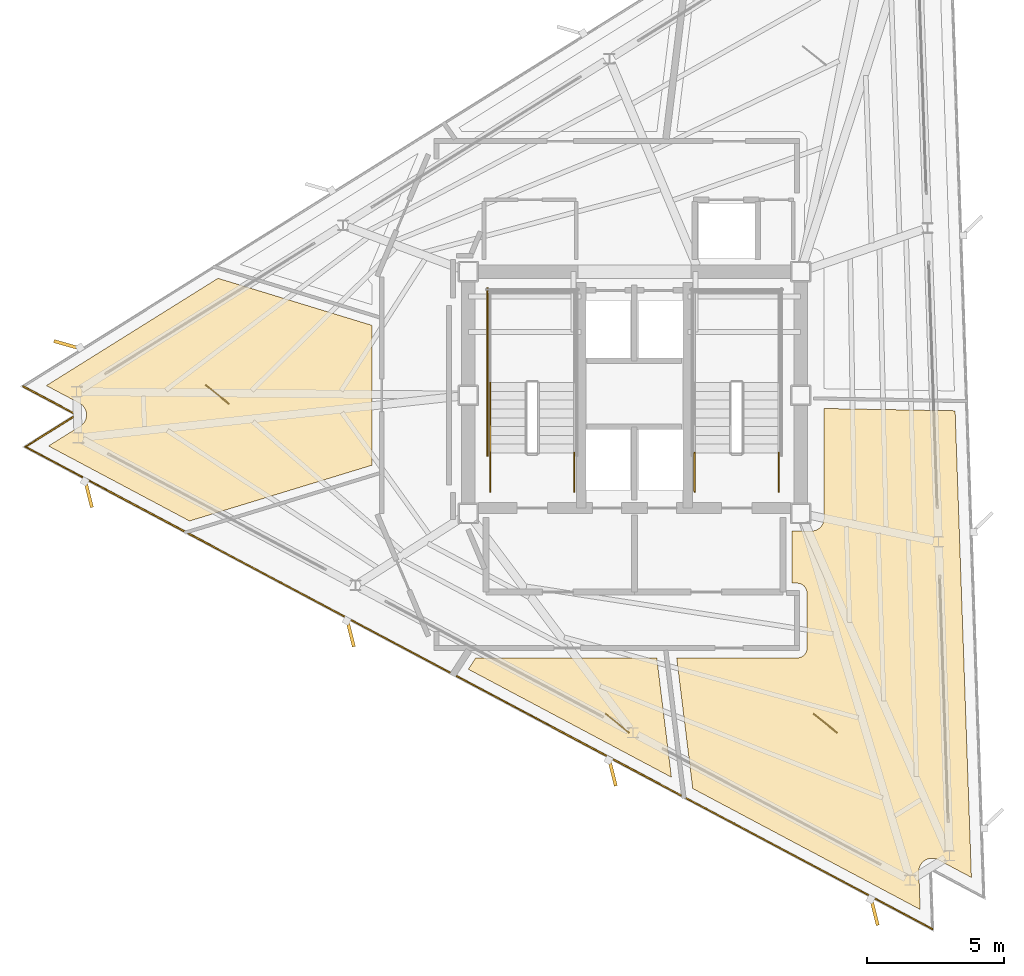
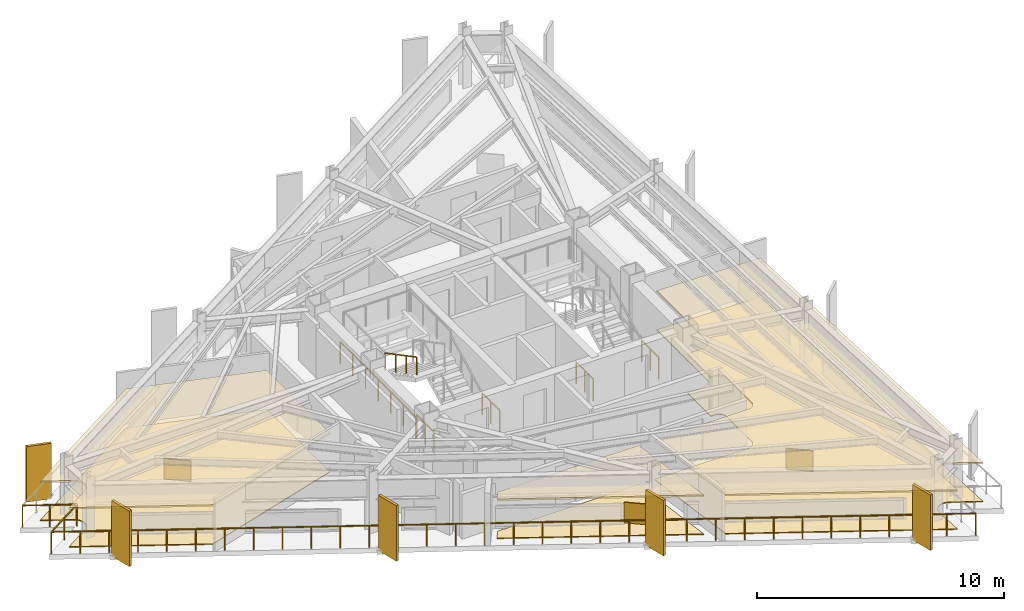
# One storey, part 11 of 13: 9 coverings, 7 railings, 5 shading devices.
"""IFC4 building model written with IfcOpenShell, lengths in metres."""

from ifc_helpers import new_model, si_unit, direction, frame, origin, origin_2d, place, context, subcontext, project, spatial, polyline, rectangle, outline, extrude, material, layer, layer_set, type_object, element, save


model = new_model("IFC4")

# Units and contexts
model_context = context("Model", 3, precision=1e-05, world=origin(), true_north=direction((0.0, 1.0)))
body_context = subcontext(model_context, "Body", "Model", "MODEL_VIEW")
ifc_project = project(units=[si_unit("LENGTHUNIT", "METRE"), si_unit("AREAUNIT", "SQUARE_METRE"), si_unit("VOLUMEUNIT", "CUBIC_METRE"), si_unit("PLANEANGLEUNIT", "RADIAN"), si_unit("MASSUNIT", "GRAM", prefix="KILO")], contexts=[model_context])

# Site, building, storey
site_placement = place(None, origin())
site = spatial("IfcSite", under=ifc_project, at=site_placement, CompositionType="ELEMENT")
building_placement = place(site_placement, origin())
building = spatial("IfcBuilding", under=site, at=building_placement, Name="Rocaltana Carrier Exchange", CompositionType="ELEMENT")
storey_placement = place(building_placement, frame((0.0, 0.0, 211.840087890625)))
storey = spatial("IfcBuildingStorey", under=building, at=storey_placement, Name="L67", CompositionType="ELEMENT", Elevation=211.840087890625)

# Coverings
ifc_material_1 = material(Name="Honed Bogota Sandstone Tile", Category="masonry")
ifc_layer_1 = layer(ifc_material_1, 0.0400390625)
ifc_layer_set_1 = layer_set([ifc_layer_1], Name="Honed Bogota Sandstone Tile")
covering_type_1 = type_object("IfcCoveringType", Name="Honed Stone Lobby Flooring 40", PredefinedType="FLOORING", material=ifc_layer_set_1)
covering_1_placement = place(storey_placement, origin())
element("IfcCovering", 1, at=covering_1_placement, inside=storey, type_object=covering_type_1, Name="L67 Carrier Peering Suite Finish Floor", PredefinedType="FLOORING", context=body_context, shape_type="SweptSolid", body=[
    extrude(outline(polyline([(-20.17138671875, -1.120361328125), (-20.15966796875, -1.11279296875), (-20.143310546875, -1.101318359375), (-20.121337890625, -1.084228515625), (-20.106201171875, -1.0712890625), (-20.085693359375, -1.052001953125), (-20.072021484375, -1.03759765625), (-20.0537109375, -1.0166015625), (-20.04150390625, -1.000732421875), (-20.025390625, -0.97802734375), (-20.014892578125, -0.961181640625), (-20.001220703125, -0.936767578125), (-19.9921875, -0.9189453125), (-19.98095703125, -0.893310546875), (-19.973876953125, -0.874755859375), (-19.965087890625, -0.848388671875), (-19.9599609375, -0.8291015625), (-19.9541015625, -0.8017578125), (-19.95068359375, -0.781982421875), (-19.947509765625, -0.75439453125), (-19.9462890625, -0.734375), (-19.94580078125, -0.70654296875), (-19.946533203125, -0.6865234375), (-19.948974609375, -0.65869140625), (-19.95166015625, -0.638916015625), (-19.956787109375, -0.611572265625), (-19.96142578125, -0.59228515625), (-19.96923828125, -0.5654296875), (-19.9755859375, -0.546630859375), (-19.986083984375, -0.520751953125), (-19.99462890625, -0.502685546875), (-20.007568359375, -0.477783203125), (-20.017578125, -0.460693359375), (-20.033203125, -0.4375), (-20.044921875, -0.42138671875), (-20.0625, -0.399658203125), (-20.07568359375, -0.385009765625), (-20.095458984375, -0.364990234375), (-20.1103515625, -0.351806640625), (-20.1318359375, -0.333984375), (-20.14794921875, -0.322021484375), (-20.171142578125, -0.306640625), (-20.188232421875, -0.29638671875), (-20.2001953125, -0.28955078125), (-21.40869140625, 0.35302734375), (-15.1591796875, 4.25830078125), (-9.56005859375, 2.54638671875), (-9.56005859375, -2.54638671875), (-16.197509765625, -4.57568359375), (-21.33203125, -1.845703125), (-20.17138671875, -1.120361328125)])), origin(), (0.0, 0.0, 1.0), 0.039794921875),
])
covering_2_placement = place(storey_placement, origin())
element("IfcCovering", 2, at=covering_2_placement, inside=storey, type_object=covering_type_1, Name="L67 Cloud Architecture Office Finish Floor", PredefinedType="FLOORING", context=body_context, shape_type="SweptSolid", body=[
    extrude(outline(polyline([(-6.047119140625, -9.97265625), (-5.779052734375, -9.56005859375), (0.81103515625, -9.56005859375), (1.34423828125, -13.90283203125), (-6.047119140625, -9.97265625)])), origin(), (0.0, 0.0, 1.0), 0.039794921875),
])
covering_3_placement = place(storey_placement, origin())
element("IfcCovering", 3, at=covering_3_placement, inside=storey, type_object=covering_type_1, Name="L67 Optical Switching Laboratory Finish Floor", PredefinedType="FLOORING", context=body_context, shape_type="SweptSolid", body=[
    extrude(outline(polyline([(5.739990234375, -6.840087890625), (5.739990234375, -4.93994140625), (6.449951171875, -4.93994140625), (6.463623046875, -4.939697265625), (6.4794921875, -4.93896484375), (6.5068359375, -4.936279296875), (6.522216796875, -4.933837890625), (6.54931640625, -4.928466796875), (6.564453125, -4.9248046875), (6.5908203125, -4.916748046875), (6.605712890625, -4.91162109375), (6.630859375, -4.90087890625), (6.64501953125, -4.894287109375), (6.66943359375, -4.88134765625), (6.682861328125, -4.873291015625), (6.705810546875, -4.85791015625), (6.71826171875, -4.8486328125), (6.739501953125, -4.8310546875), (6.751220703125, -4.820556640625), (6.7705078125, -4.80126953125), (6.781005859375, -4.78955078125), (6.798583984375, -4.768310546875), (6.807861328125, -4.755615234375), (6.8232421875, -4.73291015625), (6.831298828125, -4.719482421875), (6.84423828125, -4.695068359375), (6.850830078125, -4.680908203125), (6.861572265625, -4.655517578125), (6.86669921875, -4.640869140625), (6.874755859375, -4.614501953125), (6.87841796875, -4.59912109375), (6.8837890625, -4.572265625), (6.88623046875, -4.556884765625), (6.888916015625, -4.529296875), (6.8896484375, -4.513671875), (6.889892578125, -4.5), (6.889892578125, -0.480224609375), (11.671142578125, -0.563720703125), (12.264404296875, -17.55126953125), (11.055908203125, -16.90869140625), (11.04345703125, -16.902587890625), (11.025390625, -16.89404296875), (10.99951171875, -16.883544921875), (10.980712890625, -16.876708984375), (10.9541015625, -16.868896484375), (10.9345703125, -16.8642578125), (10.9072265625, -16.85888671875), (10.887451171875, -16.856201171875), (10.859619140625, -16.853515625), (10.83984375, -16.852783203125), (10.81201171875, -16.85302734375), (10.7919921875, -16.854248046875), (10.76416015625, -16.857421875), (10.744384765625, -16.860595703125), (10.71728515625, -16.8662109375), (10.697998046875, -16.871337890625), (10.67138671875, -16.8798828125), (10.652587890625, -16.886962890625), (10.627197265625, -16.89794921875), (10.609130859375, -16.906982421875), (10.584716796875, -16.92041015625), (10.56787109375, -16.930908203125), (10.544921875, -16.947021484375), (10.529296875, -16.959228515625), (10.508056640625, -16.977294921875), (10.49365234375, -16.990966796875), (10.474365234375, -17.01123046875), (10.461181640625, -17.0263671875), (10.444091796875, -17.04833984375), (10.4326171875, -17.064697265625), (10.41748046875, -17.088134765625), (10.407958984375, -17.105712890625), (10.3955078125, -17.130615234375), (10.38720703125, -17.148681640625), (10.37744140625, -17.1748046875), (10.37109375, -17.19384765625), (10.364013671875, -17.220703125), (10.359619140625, -17.240234375), (10.35498046875, -17.267822265625), (10.352783203125, -17.28759765625), (10.35107421875, -17.3154296875), (10.350830078125, -17.33544921875), (10.350830078125, -17.349365234375), (10.398681640625, -18.717041015625), (2.120361328125, -14.3154296875), (1.53662109375, -9.56005859375), (5.919921875, -9.56005859375), (5.93359375, -9.559814453125), (5.941650390625, -9.559326171875), (5.968994140625, -9.556640625), (5.976806640625, -9.555419921875), (6.003662109375, -9.550048828125), (6.01123046875, -9.548095703125), (6.03759765625, -9.540283203125), (6.044921875, -9.53759765625), (6.0703125, -9.527099609375), (6.077392578125, -9.523681640625), (6.101806640625, -9.5107421875), (6.1083984375, -9.506591796875), (6.131103515625, -9.491455078125), (6.137451171875, -9.48681640625), (6.15869140625, -9.46923828125), (6.16455078125, -9.464111328125), (6.18408203125, -9.444580078125), (6.189208984375, -9.438720703125), (6.206787109375, -9.41748046875), (6.21142578125, -9.4111328125), (6.226806640625, -9.388427734375), (6.230712890625, -9.381591796875), (6.24365234375, -9.357421875), (6.2470703125, -9.350341796875), (6.257568359375, -9.324951171875), (6.26025390625, -9.317626953125), (6.268310546875, -9.291259765625), (6.27001953125, -9.28369140625), (6.275390625, -9.256591796875), (6.276611328125, -9.248779296875), (6.279296875, -9.2216796875), (6.27978515625, -9.213623046875), (6.280029296875, -9.199951171875), (6.280029296875, -7.199951171875), (6.27978515625, -7.186279296875), (6.279296875, -7.178466796875), (6.276611328125, -7.151123046875), (6.275390625, -7.143310546875), (6.27001953125, -7.116455078125), (6.268310546875, -7.108642578125), (6.26025390625, -7.08251953125), (6.257568359375, -7.0751953125), (6.2470703125, -7.0498046875), (6.24365234375, -7.04248046875), (6.230712890625, -7.018310546875), (6.226806640625, -7.01171875), (6.21142578125, -6.98876953125), (6.206787109375, -6.982421875), (6.189208984375, -6.961181640625), (6.18408203125, -6.955322265625), (6.16455078125, -6.93603515625), (6.15869140625, -6.9306640625), (6.137451171875, -6.913330078125), (6.131103515625, -6.90869140625), (6.1083984375, -6.893310546875), (6.101806640625, -6.889404296875), (6.077392578125, -6.876220703125), (6.0703125, -6.873046875), (6.044921875, -6.862548828125), (6.03759765625, -6.85986328125), (6.01123046875, -6.851806640625), (6.003662109375, -6.849853515625), (5.976806640625, -6.844482421875), (5.968994140625, -6.843505859375), (5.941650390625, -6.8408203125), (5.93359375, -6.84033203125), (5.919921875, -6.840087890625), (5.739990234375, -6.840087890625)])), origin(), (0.0, 0.0, 1.0), 0.039794921875),
])
ifc_material_2 = material(Name="Anodised Aluminium 6063-T6", Category="aluminium")
ifc_layer_2 = layer(ifc_material_2, 0.0849609375)
ifc_layer_set_2 = layer_set([ifc_layer_2], Name="Anodised Aluminium 6063-T6")
covering_type_2 = type_object("IfcCoveringType", Name="Linear Baffle Acoustic Ceiling 85", PredefinedType="CEILING", material=ifc_layer_set_2)
covering_4_placement = place(storey_placement, frame((0.0, 0.0, 1.8828125)))
element("IfcCovering", 4, at=covering_4_placement, inside=storey, type_object=covering_type_2, Name="L67 Carrier Peering Suite Acoustic Ceiling", PredefinedType="CEILING", context=body_context, shape_type="SweptSolid", body=[
    extrude(outline(polyline([(-20.17138671875, -1.120361328125), (-20.15966796875, -1.11279296875), (-20.143310546875, -1.101318359375), (-20.121337890625, -1.084228515625), (-20.106201171875, -1.0712890625), (-20.085693359375, -1.052001953125), (-20.072021484375, -1.03759765625), (-20.0537109375, -1.0166015625), (-20.04150390625, -1.000732421875), (-20.025390625, -0.97802734375), (-20.014892578125, -0.961181640625), (-20.001220703125, -0.936767578125), (-19.9921875, -0.9189453125), (-19.98095703125, -0.893310546875), (-19.973876953125, -0.874755859375), (-19.965087890625, -0.848388671875), (-19.9599609375, -0.8291015625), (-19.9541015625, -0.8017578125), (-19.95068359375, -0.781982421875), (-19.947509765625, -0.75439453125), (-19.9462890625, -0.734375), (-19.94580078125, -0.70654296875), (-19.946533203125, -0.6865234375), (-19.948974609375, -0.65869140625), (-19.95166015625, -0.638916015625), (-19.956787109375, -0.611572265625), (-19.96142578125, -0.59228515625), (-19.96923828125, -0.5654296875), (-19.9755859375, -0.546630859375), (-19.986083984375, -0.520751953125), (-19.99462890625, -0.502685546875), (-20.007568359375, -0.477783203125), (-20.017578125, -0.460693359375), (-20.033203125, -0.4375), (-20.044921875, -0.42138671875), (-20.0625, -0.399658203125), (-20.07568359375, -0.385009765625), (-20.095458984375, -0.364990234375), (-20.1103515625, -0.351806640625), (-20.1318359375, -0.333984375), (-20.14794921875, -0.322021484375), (-20.171142578125, -0.306640625), (-20.188232421875, -0.29638671875), (-20.2001953125, -0.28955078125), (-21.40869140625, 0.35302734375), (-15.1591796875, 4.25830078125), (-9.56005859375, 2.54638671875), (-9.56005859375, -2.54638671875), (-16.197509765625, -4.57568359375), (-21.33203125, -1.845703125), (-20.17138671875, -1.120361328125)])), origin(), (0.0, 0.0, 1.0), 0.085205078125),
])
covering_5_placement = place(storey_placement, frame((0.0, 0.0, 1.8828125)))
element("IfcCovering", 5, at=covering_5_placement, inside=storey, type_object=covering_type_2, Name="L67 Cloud Architecture Office Acoustic Ceiling", PredefinedType="CEILING", context=body_context, shape_type="SweptSolid", body=[
    extrude(outline(polyline([(-6.047119140625, -9.97265625), (-5.779052734375, -9.56005859375), (0.81103515625, -9.56005859375), (1.34423828125, -13.90283203125), (-6.047119140625, -9.97265625)])), origin(), (0.0, 0.0, 1.0), 0.085205078125),
])
covering_6_placement = place(storey_placement, frame((0.0, 0.0, 1.8828125)))
element("IfcCovering", 6, at=covering_6_placement, inside=storey, type_object=covering_type_2, Name="L67 Optical Switching Laboratory Acoustic Ceiling", PredefinedType="CEILING", context=body_context, shape_type="SweptSolid", body=[
    extrude(outline(polyline([(5.739990234375, -6.840087890625), (5.739990234375, -4.93994140625), (6.449951171875, -4.93994140625), (6.463623046875, -4.939697265625), (6.4794921875, -4.93896484375), (6.5068359375, -4.936279296875), (6.522216796875, -4.933837890625), (6.54931640625, -4.928466796875), (6.564453125, -4.9248046875), (6.5908203125, -4.916748046875), (6.605712890625, -4.91162109375), (6.630859375, -4.90087890625), (6.64501953125, -4.894287109375), (6.66943359375, -4.88134765625), (6.682861328125, -4.873291015625), (6.705810546875, -4.85791015625), (6.71826171875, -4.8486328125), (6.739501953125, -4.8310546875), (6.751220703125, -4.820556640625), (6.7705078125, -4.80126953125), (6.781005859375, -4.78955078125), (6.798583984375, -4.768310546875), (6.807861328125, -4.755615234375), (6.8232421875, -4.73291015625), (6.831298828125, -4.719482421875), (6.84423828125, -4.695068359375), (6.850830078125, -4.680908203125), (6.861572265625, -4.655517578125), (6.86669921875, -4.640869140625), (6.874755859375, -4.614501953125), (6.87841796875, -4.59912109375), (6.8837890625, -4.572265625), (6.88623046875, -4.556884765625), (6.888916015625, -4.529296875), (6.8896484375, -4.513671875), (6.889892578125, -4.5), (6.889892578125, -0.480224609375), (11.671142578125, -0.563720703125), (12.264404296875, -17.55126953125), (11.055908203125, -16.90869140625), (11.04345703125, -16.902587890625), (11.025390625, -16.89404296875), (10.99951171875, -16.883544921875), (10.980712890625, -16.876708984375), (10.9541015625, -16.868896484375), (10.9345703125, -16.8642578125), (10.9072265625, -16.85888671875), (10.887451171875, -16.856201171875), (10.859619140625, -16.853515625), (10.83984375, -16.852783203125), (10.81201171875, -16.85302734375), (10.7919921875, -16.854248046875), (10.76416015625, -16.857421875), (10.744384765625, -16.860595703125), (10.71728515625, -16.8662109375), (10.697998046875, -16.871337890625), (10.67138671875, -16.8798828125), (10.652587890625, -16.886962890625), (10.627197265625, -16.89794921875), (10.609130859375, -16.906982421875), (10.584716796875, -16.92041015625), (10.56787109375, -16.930908203125), (10.544921875, -16.947021484375), (10.529296875, -16.959228515625), (10.508056640625, -16.977294921875), (10.49365234375, -16.990966796875), (10.474365234375, -17.01123046875), (10.461181640625, -17.0263671875), (10.444091796875, -17.04833984375), (10.4326171875, -17.064697265625), (10.41748046875, -17.088134765625), (10.407958984375, -17.105712890625), (10.3955078125, -17.130615234375), (10.38720703125, -17.148681640625), (10.37744140625, -17.1748046875), (10.37109375, -17.19384765625), (10.364013671875, -17.220703125), (10.359619140625, -17.240234375), (10.35498046875, -17.267822265625), (10.352783203125, -17.28759765625), (10.35107421875, -17.3154296875), (10.350830078125, -17.33544921875), (10.350830078125, -17.349365234375), (10.398681640625, -18.717041015625), (2.120361328125, -14.3154296875), (1.53662109375, -9.56005859375), (5.919921875, -9.56005859375), (5.93359375, -9.559814453125), (5.941650390625, -9.559326171875), (5.968994140625, -9.556640625), (5.976806640625, -9.555419921875), (6.003662109375, -9.550048828125), (6.01123046875, -9.548095703125), (6.03759765625, -9.540283203125), (6.044921875, -9.53759765625), (6.0703125, -9.527099609375), (6.077392578125, -9.523681640625), (6.101806640625, -9.5107421875), (6.1083984375, -9.506591796875), (6.131103515625, -9.491455078125), (6.137451171875, -9.48681640625), (6.15869140625, -9.46923828125), (6.16455078125, -9.464111328125), (6.18408203125, -9.444580078125), (6.189208984375, -9.438720703125), (6.206787109375, -9.41748046875), (6.21142578125, -9.4111328125), (6.226806640625, -9.388427734375), (6.230712890625, -9.381591796875), (6.24365234375, -9.357421875), (6.2470703125, -9.350341796875), (6.257568359375, -9.324951171875), (6.26025390625, -9.317626953125), (6.268310546875, -9.291259765625), (6.27001953125, -9.28369140625), (6.275390625, -9.256591796875), (6.276611328125, -9.248779296875), (6.279296875, -9.2216796875), (6.27978515625, -9.213623046875), (6.280029296875, -9.199951171875), (6.280029296875, -7.199951171875), (6.27978515625, -7.186279296875), (6.279296875, -7.178466796875), (6.276611328125, -7.151123046875), (6.275390625, -7.143310546875), (6.27001953125, -7.116455078125), (6.268310546875, -7.108642578125), (6.26025390625, -7.08251953125), (6.257568359375, -7.0751953125), (6.2470703125, -7.0498046875), (6.24365234375, -7.04248046875), (6.230712890625, -7.018310546875), (6.226806640625, -7.01171875), (6.21142578125, -6.98876953125), (6.206787109375, -6.982421875), (6.189208984375, -6.961181640625), (6.18408203125, -6.955322265625), (6.16455078125, -6.93603515625), (6.15869140625, -6.9306640625), (6.137451171875, -6.913330078125), (6.131103515625, -6.90869140625), (6.1083984375, -6.893310546875), (6.101806640625, -6.889404296875), (6.077392578125, -6.876220703125), (6.0703125, -6.873046875), (6.044921875, -6.862548828125), (6.03759765625, -6.85986328125), (6.01123046875, -6.851806640625), (6.003662109375, -6.849853515625), (5.976806640625, -6.844482421875), (5.968994140625, -6.843505859375), (5.941650390625, -6.8408203125), (5.93359375, -6.84033203125), (5.919921875, -6.840087890625), (5.739990234375, -6.840087890625)])), origin(), (0.0, 0.0, 1.0), 0.085205078125),
])

# Railings
ifc_material_3 = material(Name="Brushed Architectural Stainless Tube", Category="steel")
ifc_layer_3 = layer(ifc_material_3, 0.048095703125)
ifc_layer_set_3 = layer_set([ifc_layer_3], Name="Brushed Architectural Stainless Tube")
railing_type_1 = type_object("IfcRailingType", Name="Stair Wall Handrail 920", PredefinedType="HANDRAIL", material=ifc_layer_set_3)
railing_1_placement = place(storey_placement, frame((-5.25, 0.4599609375, 1.688720703125)))
element("IfcRailing", 7, at=railing_1_placement, inside=storey, type_object=railing_type_1, Name="L67 ST-1 stair handrail 2", PredefinedType="HANDRAIL", context=body_context, shape_type="SweptSolid", body=[
    extrude(rectangle(XDim=0.048095703125, YDim=0.048095703125, at=origin_2d()), frame((0.0, 0.0, 0.8759765625), z_axis=(0.0, -0.884394423565, 0.466740295633), x_axis=(1.0, 0.0, 0.0)), (0.0, 0.0, 1.0), 2.894775390625),
    extrude(rectangle(XDim=0.0419921875, YDim=0.0419921875, at=origin_2d()), origin(), (0.0, 0.0, 1.0), 0.851806640625),
    extrude(rectangle(XDim=0.0419921875, YDim=0.0419921875, at=origin_2d()), frame((0.0, -0.853271484375, 0.450439453125)), (0.0, 0.0, 1.0), 0.851806640625),
    extrude(rectangle(XDim=0.0419921875, YDim=0.0419921875, at=origin_2d()), frame((0.0, -1.706787109375, 0.900634765625)), (0.0, 0.0, 1.0), 0.851806640625),
    extrude(rectangle(XDim=0.0419921875, YDim=0.0419921875, at=origin_2d()), frame((0.0, -2.56005859375, 1.35107421875)), (0.0, 0.0, 1.0), 0.851806640625),
])
ifc_material_4 = material(Name="Powder-Coated Aluminium 6063-T6", Category="aluminium")
ifc_layer_4 = layer(ifc_material_4, 0.048095703125)
ifc_layer_set_4 = layer_set([ifc_layer_4], Name="Powder-Coated Aluminium 6063-T6")
railing_type_2 = type_object("IfcRailingType", Name="Stair Well Guardrail 1100", PredefinedType="GUARDRAIL", material=ifc_layer_set_4)
for number, where, name in (
    (8, (-2.18994140625, -3.5, 0.0), "L67 ST-1 stair guard 8"),
    (9, (-5.25, -3.5, 0.0), "L67 ST-1 stair guard 9"),
):
    element("IfcRailing", number, at=place(storey_placement, frame(where)), inside=storey, type_object=railing_type_2, Name=name, PredefinedType="GUARDRAIL", context=body_context, shape_type="SweptSolid", body=[
        extrude(rectangle(XDim=0.048095703125, YDim=0.048095703125, at=origin_2d()), frame((0.0, 0.0, 1.076171875), z_axis=(0.0, 1.0, 0.0), x_axis=(-1.0, 0.0, 0.0)), (0.0, 0.0, 1.0), 1.39990234375),
        extrude(rectangle(XDim=0.0419921875, YDim=0.0419921875, at=origin_2d()), origin(), (0.0, 0.0, 1.0), 1.052001953125),
        extrude(rectangle(XDim=0.0419921875, YDim=0.0419921875, at=origin_2d()), frame((0.0, 0.699951171875, 0.0)), (0.0, 0.0, 1.0), 1.052001953125),
        extrude(rectangle(XDim=0.0419921875, YDim=0.0419921875, at=origin_2d()), frame((0.0, 1.39990234375, 0.0)), (0.0, 0.0, 1.0), 1.052001953125),
    ])
railing_2_placement = place(storey_placement, frame((-5.35009765625, -2.199951171875, 0.0)))
element("IfcRailing", 10, at=railing_2_placement, inside=storey, type_object=railing_type_2, Name="L67 ST-1 stair guard 11", PredefinedType="GUARDRAIL", context=body_context, shape_type="SweptSolid", body=[
    extrude(rectangle(XDim=0.048095703125, YDim=0.048095703125, at=origin_2d()), frame((0.0, 0.0, 1.076171875), z_axis=(0.0, 1.0, 0.0), x_axis=(-1.0, 0.0, 0.0)), (0.0, 0.0, 1.0), 6.099853515625),
    extrude(rectangle(XDim=0.0419921875, YDim=0.0419921875, at=origin_2d()), origin(), (0.0, 0.0, 1.0), 1.052001953125),
    extrude(rectangle(XDim=0.0419921875, YDim=0.0419921875, at=origin_2d()), frame((0.0, 1.0166015625, 0.0)), (0.0, 0.0, 1.0), 1.052001953125),
    extrude(rectangle(XDim=0.0419921875, YDim=0.0419921875, at=origin_2d()), frame((0.0, 2.033203125, 0.0)), (0.0, 0.0, 1.0), 1.052001953125),
    extrude(rectangle(XDim=0.0419921875, YDim=0.0419921875, at=origin_2d()), frame((0.0, 3.0498046875, 0.0)), (0.0, 0.0, 1.0), 1.052001953125),
    extrude(rectangle(XDim=0.0419921875, YDim=0.0419921875, at=origin_2d()), frame((0.0, 4.066650390625, 0.0)), (0.0, 0.0, 1.0), 1.052001953125),
    extrude(rectangle(XDim=0.0419921875, YDim=0.0419921875, at=origin_2d()), frame((0.0, 5.083251953125, 0.0)), (0.0, 0.0, 1.0), 1.052001953125),
    extrude(rectangle(XDim=0.0419921875, YDim=0.0419921875, at=origin_2d()), frame((0.0, 6.099853515625, 0.0)), (0.0, 0.0, 1.0), 1.052001953125),
])
for number, where, name in (
    (11, (5.25, -3.5, 0.0), "L67 ST-2 stair guard 8"),
    (12, (2.18994140625, -3.5, 0.0), "L67 ST-2 stair guard 9"),
):
    element("IfcRailing", number, at=place(storey_placement, frame(where)), inside=storey, type_object=railing_type_2, Name=name, PredefinedType="GUARDRAIL", context=body_context, shape_type="SweptSolid", body=[
        extrude(rectangle(XDim=0.048095703125, YDim=0.048095703125, at=origin_2d()), frame((0.0, 0.0, 1.076171875), z_axis=(0.0, 1.0, 0.0), x_axis=(-1.0, 0.0, 0.0)), (0.0, 0.0, 1.0), 1.39990234375),
        extrude(rectangle(XDim=0.0419921875, YDim=0.0419921875, at=origin_2d()), origin(), (0.0, 0.0, 1.0), 1.052001953125),
        extrude(rectangle(XDim=0.0419921875, YDim=0.0419921875, at=origin_2d()), frame((0.0, 0.699951171875, 0.0)), (0.0, 0.0, 1.0), 1.052001953125),
        extrude(rectangle(XDim=0.0419921875, YDim=0.0419921875, at=origin_2d()), frame((0.0, 1.39990234375, 0.0)), (0.0, 0.0, 1.0), 1.052001953125),
    ])

# Coverings
ifc_material_5 = material(Name="Honed Piedra Muneca Sandstone", Category="masonry")
ifc_layer_5 = layer(ifc_material_5, 0.034912109375)
ifc_layer_set_5 = layer_set([ifc_layer_5], Name="Honed Piedra Muneca Sandstone")
covering_type_3 = type_object("IfcCoveringType", Name="Stone Facade Cladding 35", PredefinedType="CLADDING", material=ifc_layer_set_5)
for number, where, z_axis, x_axis, name in (
    (13, (-15.182373046875, 0.03173828125, 0.0), (0.0, 0.0, 1.0), (-0.777145961457, 0.62932039105, 0.0), "L67 Stone Facade Cladding Panel 1"),
    (14, (-0.624267578125, -11.937744140625, 0.0), (0.0, 0.0, 1.0), (-0.777145961457, 0.62932039105, 0.0), "L67 Stone Facade Cladding Panel 3"),
    (15, (6.948486328125, -11.937744140625, 0.0), (0.0, 0.0, 1.0), (-0.777145961457, 0.62932039105, 0.0), "L67 Stone Facade Cladding Panel 4"),
):
    element("IfcCovering", number, at=place(storey_placement, frame(where, z_axis=z_axis, x_axis=x_axis)), inside=storey, type_object=covering_type_3, Name=name, PredefinedType="CLADDING", context=body_context, shape_type="SweptSolid", body=[
        extrude(rectangle(XDim=1.10009765625, YDim=0.034912109375, at=origin_2d()), origin(), (0.0, 0.0, 1.0), 1.050048828125),
    ])

# Shading devices
ifc_material_6 = material(Name="Honed Bogota Sandstone & Concrete C45/55", Category="masonry")
ifc_layer_6 = layer(ifc_material_6, 0.1201171875)
ifc_layer_set_6 = layer_set([ifc_layer_6], Name="Honed Bogota Sandstone & Concrete C45/55")
shading_device_type = type_object("IfcShadingDeviceType", Name="Upper Sandstone Shading Fin 1050x120", PredefinedType="USERDEFINED", material=ifc_layer_set_6)
for number, where, z_axis, x_axis, name in (
    (16, (-20.62939453125, 1.8310546875, -0.1201171875), (0.0, 0.0, 1.0), (-0.961261695938, 0.275637355817, 0.0), "L67 Sandstone Vertical Fin F2-04"),
    (17, (-19.87841796875, -3.5703125, -0.1201171875), (0.0, 0.0, 1.0), (0.2419218956, -0.970295726276, 0.0), "L67 Sandstone Vertical Fin F3-01"),
    (18, (-10.342529296875, -8.640625, -0.1201171875), (0.0, 0.0, 1.0), (0.2419218956, -0.970295726276, 0.0), "L67 Sandstone Vertical Fin F3-02"),
    (19, (-0.806884765625, -13.7109375, -0.1201171875), (0.0, 0.0, 1.0), (0.2419218956, -0.970295726276, 0.0), "L67 Sandstone Vertical Fin F3-03"),
    (20, (8.72900390625, -18.78125, -0.1201171875), (0.0, 0.0, 1.0), (0.2419218956, -0.970295726276, 0.0), "L67 Sandstone Vertical Fin F3-04"),
):
    element("IfcShadingDevice", number, at=place(storey_placement, frame(where, z_axis=z_axis, x_axis=x_axis)), inside=storey, type_object=shading_device_type, Name=name, ObjectType="FIN", PredefinedType="USERDEFINED", context=body_context, shape_type="SweptSolid", body=[
        extrude(rectangle(XDim=1.050048828125, YDim=0.1201171875, at=origin_2d()), origin(), (0.0, 0.0, 1.0), 2.738037109375),
    ])

# Railing
ifc_material_7 = material(Name="Powder-Coated Aluminium 6063-T6", Category="aluminium")
ifc_layer_7 = layer(ifc_material_7, 0.06005859375)
ifc_layer_set_7 = layer_set([ifc_layer_7], Name="Powder-Coated Aluminium 6063-T6")
railing_type_3 = type_object("IfcRailingType", Name="Wind-Floor & Terrace Perimeter Guardrail 1100", PredefinedType="GUARDRAIL", material=ifc_layer_set_7)
railing_3_placement = place(storey_placement, frame((10.84375, -19.429443359375, 0.0)))
element("IfcRailing", 21, at=railing_3_placement, inside=storey, type_object=railing_type_3, Name="L67 Perimeter Balcony Guardrail 1", PredefinedType="GUARDRAIL", context=body_context, shape_type="SweptSolid", body=[
    extrude(rectangle(XDim=0.048095703125, YDim=0.048095703125, at=origin_2d()), frame((0.0, 0.0, 1.076171875), z_axis=(-0.882949211739, 0.469468518103, 0.0), x_axis=(-0.469468518103, -0.882949211739, 0.0)), (0.0, 0.0, 1.0), 37.39208984375),
    extrude(rectangle(XDim=0.048095703125, YDim=0.048095703125, at=origin_2d()), frame((-33.015380859375, 17.554443359375, 1.076171875), z_axis=(0.848010771987, 0.52997899071, 0.0), x_axis=(-0.52997899071, 0.848010771987, 0.0)), (0.0, 0.0, 1.0), 2.2001953125),
    extrude(rectangle(XDim=0.048095703125, YDim=0.048095703125, at=origin_2d()), frame((-31.149658203125, 18.720458984375, 1.076171875), z_axis=(-0.882960484464, 0.4694473164, 0.0), x_axis=(-0.4694473164, -0.882960484464, 0.0)), (0.0, 0.0, 1.0), 2.199951171875),
    extrude(rectangle(XDim=0.0419921875, YDim=0.0419921875, at=origin_2d()), origin(), (0.0, 0.0, 1.0), 1.052001953125),
    extrude(rectangle(XDim=0.0419921875, YDim=0.0419921875, at=origin_2d()), frame((-1.03173828125, 0.548583984375, 0.0)), (0.0, 0.0, 1.0), 1.052001953125),
    extrude(rectangle(XDim=0.0419921875, YDim=0.0419921875, at=origin_2d()), frame((-2.0634765625, 1.09716796875, 0.0)), (0.0, 0.0, 1.0), 1.052001953125),
    extrude(rectangle(XDim=0.0419921875, YDim=0.0419921875, at=origin_2d()), frame((-3.09521484375, 1.645751953125, 0.0)), (0.0, 0.0, 1.0), 1.052001953125),
    extrude(rectangle(XDim=0.0419921875, YDim=0.0419921875, at=origin_2d()), frame((-4.126953125, 2.1943359375, 0.0)), (0.0, 0.0, 1.0), 1.052001953125),
    extrude(rectangle(XDim=0.0419921875, YDim=0.0419921875, at=origin_2d()), frame((-5.15869140625, 2.742919921875, 0.0)), (0.0, 0.0, 1.0), 1.052001953125),
    extrude(rectangle(XDim=0.0419921875, YDim=0.0419921875, at=origin_2d()), frame((-6.1904296875, 3.29150390625, 0.0)), (0.0, 0.0, 1.0), 1.052001953125),
    extrude(rectangle(XDim=0.0419921875, YDim=0.0419921875, at=origin_2d()), frame((-7.22216796875, 3.840087890625, 0.0)), (0.0, 0.0, 1.0), 1.052001953125),
    extrude(rectangle(XDim=0.0419921875, YDim=0.0419921875, at=origin_2d()), frame((-8.25390625, 4.388671875, 0.0)), (0.0, 0.0, 1.0), 1.052001953125),
    extrude(rectangle(XDim=0.0419921875, YDim=0.0419921875, at=origin_2d()), frame((-9.28564453125, 4.937255859375, 0.0)), (0.0, 0.0, 1.0), 1.052001953125),
    extrude(rectangle(XDim=0.0419921875, YDim=0.0419921875, at=origin_2d()), frame((-10.3173828125, 5.48583984375, 0.0)), (0.0, 0.0, 1.0), 1.052001953125),
    extrude(rectangle(XDim=0.0419921875, YDim=0.0419921875, at=origin_2d()), frame((-11.34912109375, 6.034423828125, 0.0)), (0.0, 0.0, 1.0), 1.052001953125),
    extrude(rectangle(XDim=0.0419921875, YDim=0.0419921875, at=origin_2d()), frame((-12.380859375, 6.5830078125, 0.0)), (0.0, 0.0, 1.0), 1.052001953125),
    extrude(rectangle(XDim=0.0419921875, YDim=0.0419921875, at=origin_2d()), frame((-13.41259765625, 7.131591796875, 0.0)), (0.0, 0.0, 1.0), 1.052001953125),
    extrude(rectangle(XDim=0.0419921875, YDim=0.0419921875, at=origin_2d()), frame((-14.4443359375, 7.68017578125, 0.0)), (0.0, 0.0, 1.0), 1.052001953125),
    extrude(rectangle(XDim=0.0419921875, YDim=0.0419921875, at=origin_2d()), frame((-15.47607421875, 8.228759765625, 0.0)), (0.0, 0.0, 1.0), 1.052001953125),
    extrude(rectangle(XDim=0.0419921875, YDim=0.0419921875, at=origin_2d()), frame((-16.5078125, 8.77734375, 0.0)), (0.0, 0.0, 1.0), 1.052001953125),
    extrude(rectangle(XDim=0.0419921875, YDim=0.0419921875, at=origin_2d()), frame((-17.539306640625, 9.32568359375, 0.0)), (0.0, 0.0, 1.0), 1.052001953125),
    extrude(rectangle(XDim=0.0419921875, YDim=0.0419921875, at=origin_2d()), frame((-18.571044921875, 9.874267578125, 0.0)), (0.0, 0.0, 1.0), 1.052001953125),
    extrude(rectangle(XDim=0.0419921875, YDim=0.0419921875, at=origin_2d()), frame((-19.602783203125, 10.4228515625, 0.0)), (0.0, 0.0, 1.0), 1.052001953125),
    extrude(rectangle(XDim=0.0419921875, YDim=0.0419921875, at=origin_2d()), frame((-20.634521484375, 10.971435546875, 0.0)), (0.0, 0.0, 1.0), 1.052001953125),
    extrude(rectangle(XDim=0.0419921875, YDim=0.0419921875, at=origin_2d()), frame((-21.666259765625, 11.52001953125, 0.0)), (0.0, 0.0, 1.0), 1.052001953125),
    extrude(rectangle(XDim=0.0419921875, YDim=0.0419921875, at=origin_2d()), frame((-22.697998046875, 12.068603515625, 0.0)), (0.0, 0.0, 1.0), 1.052001953125),
    extrude(rectangle(XDim=0.0419921875, YDim=0.0419921875, at=origin_2d()), frame((-23.729736328125, 12.6171875, 0.0)), (0.0, 0.0, 1.0), 1.052001953125),
    extrude(rectangle(XDim=0.0419921875, YDim=0.0419921875, at=origin_2d()), frame((-24.761474609375, 13.165771484375, 0.0)), (0.0, 0.0, 1.0), 1.052001953125),
    extrude(rectangle(XDim=0.0419921875, YDim=0.0419921875, at=origin_2d()), frame((-25.793212890625, 13.71435546875, 0.0)), (0.0, 0.0, 1.0), 1.052001953125),
    extrude(rectangle(XDim=0.0419921875, YDim=0.0419921875, at=origin_2d()), frame((-26.824951171875, 14.262939453125, 0.0)), (0.0, 0.0, 1.0), 1.052001953125),
    extrude(rectangle(XDim=0.0419921875, YDim=0.0419921875, at=origin_2d()), frame((-27.856689453125, 14.8115234375, 0.0)), (0.0, 0.0, 1.0), 1.052001953125),
    extrude(rectangle(XDim=0.0419921875, YDim=0.0419921875, at=origin_2d()), frame((-28.888427734375, 15.360107421875, 0.0)), (0.0, 0.0, 1.0), 1.052001953125),
    extrude(rectangle(XDim=0.0419921875, YDim=0.0419921875, at=origin_2d()), frame((-29.920166015625, 15.90869140625, 0.0)), (0.0, 0.0, 1.0), 1.052001953125),
    extrude(rectangle(XDim=0.0419921875, YDim=0.0419921875, at=origin_2d()), frame((-30.951904296875, 16.457275390625, 0.0)), (0.0, 0.0, 1.0), 1.052001953125),
    extrude(rectangle(XDim=0.0419921875, YDim=0.0419921875, at=origin_2d()), frame((-31.983642578125, 17.005859375, 0.0)), (0.0, 0.0, 1.0), 1.052001953125),
    extrude(rectangle(XDim=0.0419921875, YDim=0.0419921875, at=origin_2d()), frame((-33.015380859375, 17.554443359375, 0.0)), (0.0, 0.0, 1.0), 1.052001953125),
    extrude(rectangle(XDim=0.0419921875, YDim=0.0419921875, at=origin_2d()), frame((-32.08251953125, 18.137451171875, 0.0)), (0.0, 0.0, 1.0), 1.052001953125),
    extrude(rectangle(XDim=0.0419921875, YDim=0.0419921875, at=origin_2d()), frame((-31.149658203125, 18.720458984375, 0.0)), (0.0, 0.0, 1.0), 1.052001953125),
    extrude(rectangle(XDim=0.0419921875, YDim=0.0419921875, at=origin_2d()), frame((-32.120849609375, 19.23681640625, 0.0)), (0.0, 0.0, 1.0), 1.052001953125),
    extrude(rectangle(XDim=0.0419921875, YDim=0.0419921875, at=origin_2d()), frame((-33.092041015625, 19.753173828125, 0.0)), (0.0, 0.0, 1.0), 1.052001953125),
])

save(model, "model.ifc")
